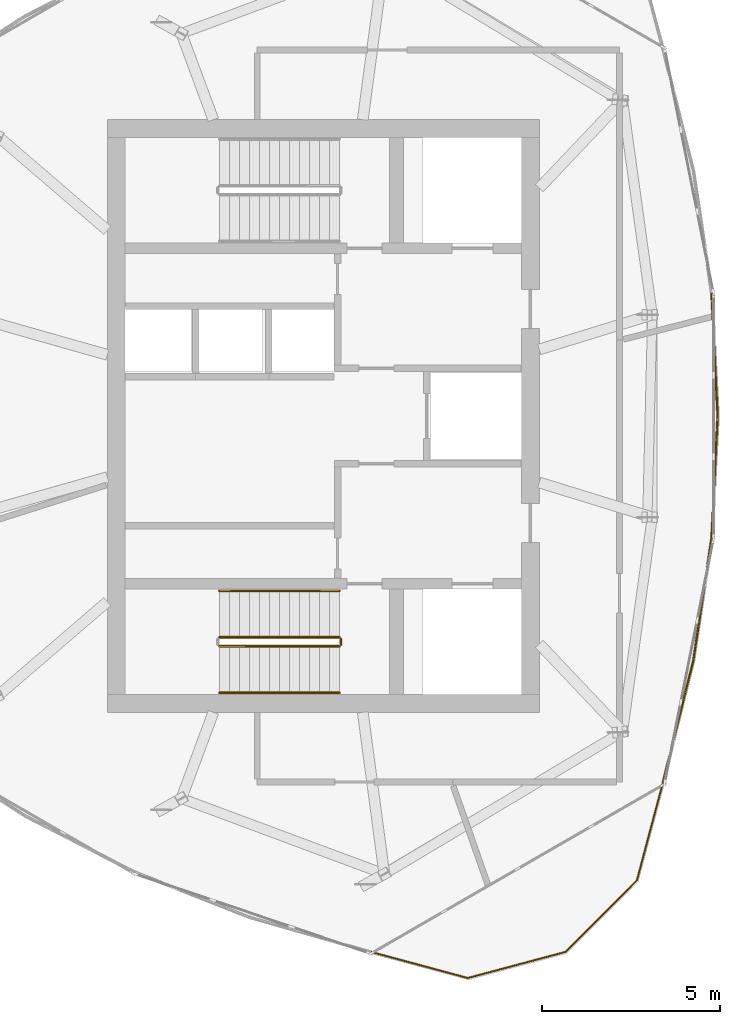
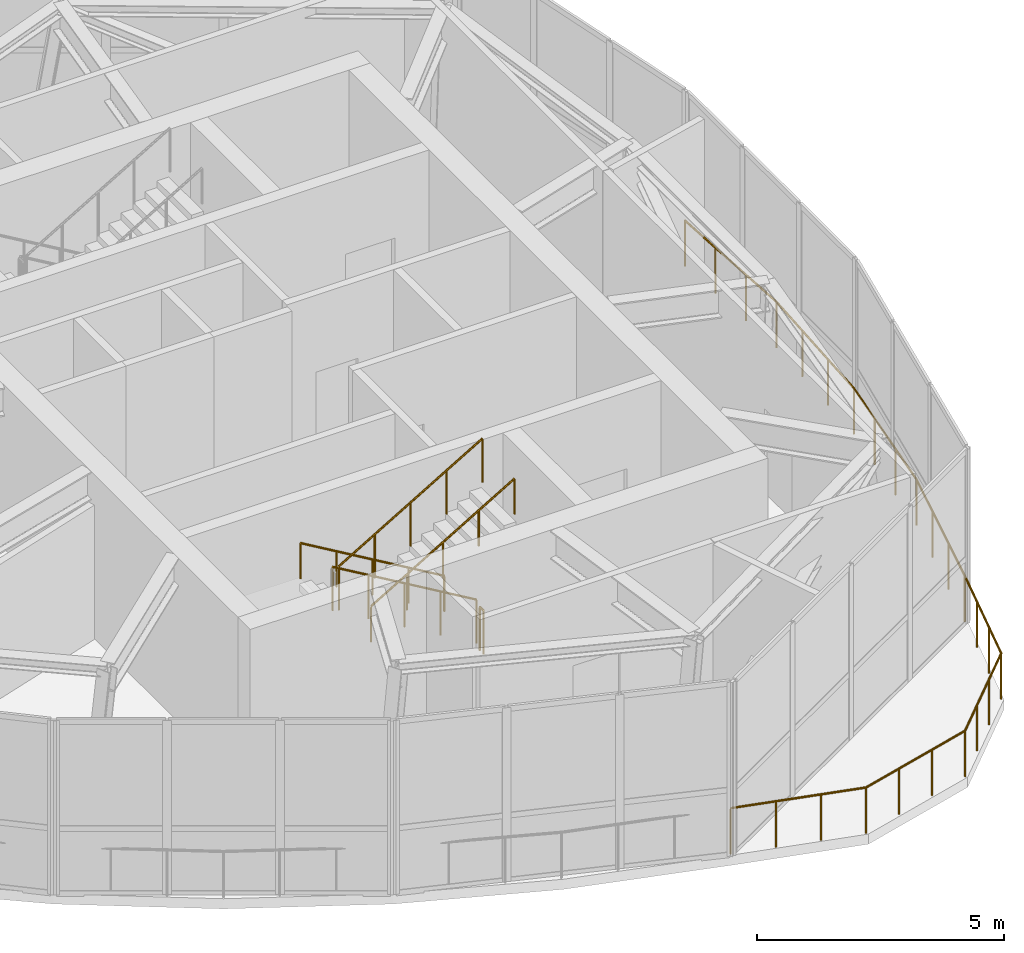
# One storey, part 10 of 11: 8 railings.
"""IFC4 building model written with IfcOpenShell, lengths in metres."""

import ifcopenshell
import ifcopenshell.guid

model = None  # the IFC model being written
_history = None  # IfcOwnerHistory: only IFC2X3 demands one
_inside = {}  # id of a spatial element -> (the spatial element, [elements in it])
_under = {}  # id of a project, library or spatial element -> (it, [spatial elements below it])
_declared = {}  # id of a project -> (the project, [libraries it declares])
_typed = {}  # id of a type object -> (the type object, [elements of that type])
_made_of = {}  # id of a material, layer set ... -> (it, [elements and type objects made of it])


def new_model(schema):
    """Start an empty IFC model of exactly this schema.

    Asked for "IFC4X3", IfcOpenShell would pick the latest addendum, in which some entities
    have other attributes; the version numbers below select the first issue.
    IFC2X3 requires an IfcOwnerHistory on every rooted entity: one is made here for all.
    """
    global model, _history
    if schema == "IFC4X3":
        model = ifcopenshell.file(schema_version=(4, 3, 0, 0))
    else:
        model = ifcopenshell.file(schema=schema)
    _inside.clear()
    _under.clear()
    _declared.clear()
    _typed.clear()
    _made_of.clear()
    _history = None
    if model.schema == "IFC2X3":
        org = make("IfcOrganization", Name="unknown")
        user = make(
            "IfcPersonAndOrganization",
            ThePerson=make("IfcPerson", FamilyName="unknown"),
            TheOrganization=org,
        )
        app = make(
            "IfcApplication",
            ApplicationDeveloper=org,
            Version="unknown",
            ApplicationFullName="unknown",
            ApplicationIdentifier="unknown",
        )
        _history = make(
            "IfcOwnerHistory",
            OwningUser=user,
            OwningApplication=app,
            ChangeAction="ADDED",
            CreationDate=0,
        )
    return model


def make(cls, **values):
    """One entity of the class cls with the attributes given. An attribute that is None is left unset."""
    return model.create_entity(
        cls, **{name: value for name, value in values.items() if value is not None}
    )


def rooted(cls, **values):
    """An entity with a GlobalId (a new one), such as an element, a storey or a relation."""
    return make(cls, GlobalId=ifcopenshell.guid.new(), OwnerHistory=_history, **values)


def si_unit(unit_type, name, prefix=None):
    """IfcSIUnit, for example si_unit("LENGTHUNIT", "METRE", prefix="MILLI")."""
    return make("IfcSIUnit", UnitType=unit_type, Prefix=prefix, Name=name)


def assignment(units):
    """IfcUnitAssignment: the units of a project."""
    return None if units is None else make("IfcUnitAssignment", Units=units)


def point(xyz):
    """IfcCartesianPoint."""
    return None if xyz is None else make("IfcCartesianPoint", Coordinates=xyz)


def direction(xyz):
    """IfcDirection."""
    return None if xyz is None else make("IfcDirection", DirectionRatios=xyz)


def frame(location, z_axis=None, x_axis=None):
    """IfcAxis2Placement3D, a coordinate frame: its origin and axes. An axis left out is left unset."""
    return make(
        "IfcAxis2Placement3D",
        Location=point(location),
        Axis=direction(z_axis),
        RefDirection=direction(x_axis),
    )


def frame_2d(location, x_axis=None):
    """IfcAxis2Placement2D, a coordinate frame in the plane: its origin and x axis."""
    return make(
        "IfcAxis2Placement2D", Location=point(location), RefDirection=direction(x_axis)
    )


def origin():
    """The frame at (0, 0, 0) with its axes left unset."""
    return frame((0.0, 0.0, 0.0))


def origin_2d():
    """The frame at (0, 0) in the plane with its x axis left unset."""
    return frame_2d((0.0, 0.0))


def place(relative_to, where):
    """IfcLocalPlacement: puts the frame where relative to a parent placement (None: the world)."""
    return make(
        "IfcLocalPlacement", PlacementRelTo=relative_to, RelativePlacement=where
    )


def context(
    kind, dimensions, precision=None, world=None, true_north=None, identifier=None
):
    """IfcGeometricRepresentationContext, for example the 3D "Model" context."""
    return make(
        "IfcGeometricRepresentationContext",
        ContextIdentifier=identifier,
        ContextType=kind,
        CoordinateSpaceDimension=dimensions,
        Precision=precision,
        WorldCoordinateSystem=world,
        TrueNorth=true_north,
    )


def subcontext(parent, identifier, kind, view, scale=None):
    """IfcGeometricRepresentationSubContext, for example "Body" below "Model"."""
    return make(
        "IfcGeometricRepresentationSubContext",
        ContextIdentifier=identifier,
        ContextType=kind,
        ParentContext=parent,
        TargetScale=scale,
        TargetView=view,
    )


def project(units=None, contexts=None):
    """IfcProject with its units and contexts."""
    return rooted(
        "IfcProject",
        Name="project",
        RepresentationContexts=contexts,
        UnitsInContext=assignment(units),
    )


def spatial(cls, under=None, at=None, **own):
    """A site, building, storey or space (cls), placed at a placement, below another one or the project."""
    s = rooted(cls, ObjectPlacement=at, **own)
    if under is not None:
        _under.setdefault(under.id(), (under, []))[1].append(s)
    return s


def profile(cls, at=None, kind="AREA", **sizes):
    """A parametric profile (cls). Its sizes go by their IFC names, for example OverallWidth=200.0."""
    return make(cls, ProfileType=kind, Position=at, **sizes)


def circle(**sizes):
    """IfcCircleProfileDef."""
    return profile("IfcCircleProfileDef", **sizes)


def extrude(swept, where, along, depth):
    """IfcExtrudedAreaSolid: the profile swept, set in the frame where, extruded along a direction by depth."""
    return make(
        "IfcExtrudedAreaSolid",
        SweptArea=swept,
        Position=where,
        ExtrudedDirection=direction(along),
        Depth=depth,
    )


def shape(context_of_items, identifier, shape_type, items):
    """IfcShapeRepresentation: the items that make up one representation, for example the "Body"."""
    return make(
        "IfcShapeRepresentation",
        ContextOfItems=context_of_items,
        RepresentationIdentifier=identifier,
        RepresentationType=shape_type,
        Items=items,
    )


def source(mapping_origin, context_of_items, identifier, shape_type, items):
    """IfcRepresentationMap: a shape defined once, which mapped items show again and again."""
    return make(
        "IfcRepresentationMap",
        MappingOrigin=mapping_origin,
        MappedRepresentation=shape(context_of_items, identifier, shape_type, items),
    )


def transform(
    local_origin,
    x_axis=None,
    y_axis=None,
    z_axis=None,
    scale=None,
    scale2=None,
    scale3=None,
    uniform=True,
):
    """IfcCartesianTransformationOperator3D, or its non-uniform kind. x_axis, y_axis, z_axis: its Axis1, 2, 3."""
    if uniform:
        return make(
            "IfcCartesianTransformationOperator3D",
            Axis1=direction(x_axis),
            Axis2=direction(y_axis),
            LocalOrigin=point(local_origin),
            Scale=scale,
            Axis3=direction(z_axis),
        )
    return make(
        "IfcCartesianTransformationOperator3DnonUniform",
        Axis1=direction(x_axis),
        Axis2=direction(y_axis),
        LocalOrigin=point(local_origin),
        Scale=scale,
        Axis3=direction(z_axis),
        Scale2=scale2,
        Scale3=scale3,
    )


def mapped(mapping_source, mapping_target):
    """IfcMappedItem: shows the shape of a source again, moved by a transform."""
    return make(
        "IfcMappedItem", MappingSource=mapping_source, MappingTarget=mapping_target
    )


def material(Name=None, Category=None):
    """IfcMaterial."""
    return make("IfcMaterial", Name=Name, Category=Category)


def made_of(thing, what):
    """Note that an element or type object is made of a material, layer set ...; save() writes the relation."""
    if what is not None:
        _made_of.setdefault(what.id(), (what, []))[1].append(thing)
    return thing


def type_object(cls, material=None, **own):
    """A type object (cls), such as IfcWallType, which elements share."""
    return made_of(rooted(cls, **own), material)


def element(
    cls,
    number,
    at=None,
    inside=None,
    cuts=None,
    type_object=None,
    material=None,
    context=None,
    identifier="Body",
    shape_type=None,
    held_by="IfcProductDefinitionShape",
    body=None,
    shapes=None,
    **own,
):
    """One element of the class cls, such as IfcWall. Its Tag is "e" and its number.

    at: its placement. inside: the storey or other place that contains it. cuts: it is an
    opening in that element (IfcRelVoidsElement). A single representation is given by context,
    identifier, shape_type and body (its items); several are given by shapes. held_by: the class
    of the entity that holds the representations. save() writes the other relations.
    """
    e = rooted(cls, Tag="e%d" % number, ObjectPlacement=at, **own)
    if body is not None:
        shapes = [shape(context, identifier, shape_type, body)]
    if shapes is not None:
        e.Representation = make(held_by, Representations=shapes)
    if inside is not None:
        _inside.setdefault(inside.id(), (inside, []))[1].append(e)
    if cuts is not None:
        rooted(
            "IfcRelVoidsElement", RelatingBuildingElement=cuts, RelatedOpeningElement=e
        )
    if type_object is not None:
        _typed.setdefault(type_object.id(), (type_object, []))[1].append(e)
    return made_of(e, material)


def aggregate(whole, parts):
    """IfcRelAggregates: a whole, such as a stair, and the parts it consists of."""
    return rooted("IfcRelAggregates", RelatingObject=whole, RelatedObjects=parts)


def save(model, path):
    """Write the relations noted so far, then the file.

    IfcRelAggregates (storeys below a building ...), IfcRelContainedInSpatialStructure (elements
    in a storey), IfcRelDefinesByType, IfcRelAssociatesMaterial and IfcRelDeclares: one each for
    every whole, place, type object, material and project.
    """
    for whole, parts in _under.values():
        aggregate(whole, parts)
    for where, things in _inside.values():
        rooted(
            "IfcRelContainedInSpatialStructure",
            RelatedElements=things,
            RelatingStructure=where,
        )
    for kind, things in _typed.values():
        rooted("IfcRelDefinesByType", RelatedObjects=things, RelatingType=kind)
    for what, things in _made_of.values():
        rooted("IfcRelAssociatesMaterial", RelatedObjects=things, RelatingMaterial=what)
    for by, libraries in _declared.values():
        rooted("IfcRelDeclares", RelatingContext=by, RelatedDefinitions=libraries)
    model.write(path)


model = new_model("IFC4")

# Units and contexts
model_context = context("Model", 3, precision=1e-05, world=origin(), true_north=direction((0.0, 1.0)))
body_context = subcontext(model_context, "Body", "Model", "MODEL_VIEW")
ifc_project = project(units=[si_unit("LENGTHUNIT", "METRE"), si_unit("AREAUNIT", "SQUARE_METRE"), si_unit("VOLUMEUNIT", "CUBIC_METRE"), si_unit("PLANEANGLEUNIT", "RADIAN"), si_unit("MASSUNIT", "GRAM", prefix="KILO")], contexts=[model_context])

# Site, building, storey
site_placement = place(None, origin())
site = spatial("IfcSite", under=ifc_project, at=site_placement, CompositionType="ELEMENT")
building_placement = place(site_placement, origin())
building = spatial("IfcBuilding", under=site, at=building_placement, Name="Qafzar Sky-Pleat Residences", CompositionType="ELEMENT")
storey_placement = place(building_placement, frame((0.0, 0.0, 253.199951171875)))
storey = spatial("IfcBuildingStorey", under=building, at=storey_placement, Name="L76 Crown", CompositionType="ELEMENT", Elevation=253.199951171875)

# Railings
ifc_material_1 = material(Name="Galvanised and bronze-coated Steel S355 guardrail", Category="steel")
railing_type_1 = type_object("IfcRailingType", Name="RAIL-EXT-1150", PredefinedType="GUARDRAIL", material=ifc_material_1)
shared_shape_1 = source(origin(), body_context, "Body", "SweptSolid", [
    extrude(circle(Radius=0.02392578125, at=origin_2d()), frame((0.0, 0.0, 1.1259765625), z_axis=(0.965471763523, -0.260507723188, 0.0), x_axis=(0.260507723188, 0.965471763523, 0.0)), (0.0, 0.0, 1.0), 2.8349609375),
    extrude(circle(Radius=0.02392578125, at=origin_2d()), frame((2.737060546875, -0.738525390625, 1.1259765625), z_axis=(0.966086005163, 0.258220507759, 0.0), x_axis=(-0.258220507759, 0.966086005163, 0.0)), (0.0, 0.0, 1.0), 2.83251953125),
    extrude(circle(Radius=0.02392578125, at=origin_2d()), frame((5.4736328125, -0.007080078125, 1.1259765625), z_axis=(0.70676193522, 0.707451459059, 0.0), x_axis=(-0.707451459059, 0.70676193522, 0.0)), (0.0, 0.0, 1.0), 2.83251953125),
    extrude(circle(Radius=0.02392578125, at=origin_2d()), frame((7.4755859375, 1.996826171875, 1.1259765625), z_axis=(0.257260584326, 0.966342067672, 0.0), x_axis=(-0.966342067672, 0.257260584326, 0.0)), (0.0, 0.0, 1.0), 2.834716796875),
    extrude(circle(Radius=0.02099609375, at=origin_2d()), origin(), (0.0, 0.0, 1.0), 1.101806640625),
    extrude(circle(Radius=0.02099609375, at=origin_2d()), frame((0.912353515625, -0.24609375, 0.0)), (0.0, 0.0, 1.0), 1.101806640625),
    extrude(circle(Radius=0.02099609375, at=origin_2d()), frame((1.82470703125, -0.492431640625, 0.0)), (0.0, 0.0, 1.0), 1.101806640625),
    extrude(circle(Radius=0.02099609375, at=origin_2d()), frame((2.737060546875, -0.738525390625, 0.0)), (0.0, 0.0, 1.0), 1.101806640625),
    extrude(circle(Radius=0.02099609375, at=origin_2d()), frame((3.649169921875, -0.49462890625, 0.0)), (0.0, 0.0, 1.0), 1.101806640625),
    extrude(circle(Radius=0.02099609375, at=origin_2d()), frame((4.5615234375, -0.2509765625, 0.0)), (0.0, 0.0, 1.0), 1.101806640625),
    extrude(circle(Radius=0.02099609375, at=origin_2d()), frame((5.4736328125, -0.007080078125, 0.0)), (0.0, 0.0, 1.0), 1.101806640625),
    extrude(circle(Radius=0.02099609375, at=origin_2d()), frame((6.140869140625, 0.660888671875, 0.0)), (0.0, 0.0, 1.0), 1.101806640625),
    extrude(circle(Radius=0.02099609375, at=origin_2d()), frame((6.808349609375, 1.328857421875, 0.0)), (0.0, 0.0, 1.0), 1.101806640625),
    extrude(circle(Radius=0.02099609375, at=origin_2d()), frame((7.4755859375, 1.996826171875, 0.0)), (0.0, 0.0, 1.0), 1.101806640625),
    extrude(circle(Radius=0.02099609375, at=origin_2d()), frame((7.71875, 2.909912109375, 0.0)), (0.0, 0.0, 1.0), 1.101806640625),
    extrude(circle(Radius=0.02099609375, at=origin_2d()), frame((7.961669921875, 3.822998046875, 0.0)), (0.0, 0.0, 1.0), 1.101806640625),
    extrude(circle(Radius=0.02099609375, at=origin_2d()), frame((8.204833984375, 4.736083984375, 0.0)), (0.0, 0.0, 1.0), 1.101806640625),
])
railing_1_placement = place(storey_placement, frame((31.659912109375, 10.9951171875, 0.0)))
element("IfcRailing", 1, at=railing_1_placement, inside=storey, type_object=railing_type_1, Name="L76 Crown Corner Maintenance Guardrail 5", PredefinedType="GUARDRAIL", context=body_context, shape_type="MappedRepresentation", body=[
    mapped(shared_shape_1, transform((0.0, 0.0, 0.0), x_axis=(1.0, 0.0, 0.0), y_axis=(0.0, 1.0, 0.0), z_axis=(0.0, 0.0, 1.0), scale=1.0)),
])
shared_shape_2 = source(origin(), body_context, "Body", "SweptSolid", [
    extrude(circle(Radius=0.02392578125, at=origin_2d()), frame((0.0, 0.0, 1.1259765625), z_axis=(0.24128213579, 0.970455012326, 0.0), x_axis=(-0.970455012326, 0.24128213579, 0.0)), (0.0, 0.0, 1.0), 3.529296875),
    extrude(circle(Radius=0.02392578125, at=origin_2d()), frame((0.8515625, 3.425048828125, 1.1259765625), z_axis=(0.147384730053, 0.989079239165, 0.0), x_axis=(-0.989079239165, 0.147384730053, 0.0)), (0.0, 0.0, 1.0), 3.46044921875),
    extrude(circle(Radius=0.02099609375, at=origin_2d()), origin(), (0.0, 0.0, 1.0), 1.101806640625),
    extrude(circle(Radius=0.02099609375, at=origin_2d()), frame((0.283935546875, 1.1416015625, 0.0)), (0.0, 0.0, 1.0), 1.101806640625),
    extrude(circle(Radius=0.02099609375, at=origin_2d()), frame((0.567626953125, 2.283447265625, 0.0)), (0.0, 0.0, 1.0), 1.101806640625),
    extrude(circle(Radius=0.02099609375, at=origin_2d()), frame((0.8515625, 3.425048828125, 0.0)), (0.0, 0.0, 1.0), 1.101806640625),
    extrude(circle(Radius=0.02099609375, at=origin_2d()), frame((1.021484375, 4.56591796875, 0.0)), (0.0, 0.0, 1.0), 1.101806640625),
    extrude(circle(Radius=0.02099609375, at=origin_2d()), frame((1.191650390625, 5.706787109375, 0.0)), (0.0, 0.0, 1.0), 1.101806640625),
    extrude(circle(Radius=0.02099609375, at=origin_2d()), frame((1.361572265625, 6.84765625, 0.0)), (0.0, 0.0, 1.0), 1.101806640625),
])
railing_2_placement = place(storey_placement, frame((39.86474609375, 15.731201171875, 0.0)))
element("IfcRailing", 2, at=railing_2_placement, inside=storey, type_object=railing_type_1, Name="L76 Crown Corner Maintenance Guardrail 6", PredefinedType="GUARDRAIL", context=body_context, shape_type="MappedRepresentation", body=[
    mapped(shared_shape_2, transform((0.0, 0.0, 0.0), x_axis=(1.0, 0.0, 0.0), y_axis=(0.0, 1.0, 0.0), z_axis=(0.0, 0.0, 1.0), scale=1.0)),
])
shared_shape_3 = source(origin(), body_context, "Body", "SweptSolid", [
    extrude(circle(Radius=0.02392578125, at=origin_2d()), frame((0.0, 0.0, 1.1259765625), z_axis=(0.049678113205, 0.998765280268, 0.0), x_axis=(-0.998765280268, 0.049678113205, 0.0)), (0.0, 0.0, 1.0), 3.42529296875),
    extrude(circle(Radius=0.02392578125, at=origin_2d()), frame((0.170166015625, 3.421142578125, 1.1259765625), z_axis=(-0.049678113205, 0.998765280268, 0.0), x_axis=(-0.998765280268, -0.049678113205, 0.0)), (0.0, 0.0, 1.0), 3.42529296875),
    extrude(circle(Radius=0.02099609375, at=origin_2d()), origin(), (0.0, 0.0, 1.0), 1.101806640625),
    extrude(circle(Radius=0.02099609375, at=origin_2d()), frame((0.056640625, 1.140380859375, 0.0)), (0.0, 0.0, 1.0), 1.101806640625),
    extrude(circle(Radius=0.02099609375, at=origin_2d()), frame((0.113525390625, 2.28076171875, 0.0)), (0.0, 0.0, 1.0), 1.101806640625),
    extrude(circle(Radius=0.02099609375, at=origin_2d()), frame((0.170166015625, 3.421142578125, 0.0)), (0.0, 0.0, 1.0), 1.101806640625),
    extrude(circle(Radius=0.02099609375, at=origin_2d()), frame((0.113525390625, 4.5615234375, 0.0)), (0.0, 0.0, 1.0), 1.101806640625),
    extrude(circle(Radius=0.02099609375, at=origin_2d()), frame((0.056640625, 5.701904296875, 0.0)), (0.0, 0.0, 1.0), 1.101806640625),
    extrude(circle(Radius=0.02099609375, at=origin_2d()), frame((0.0, 6.84228515625, 0.0)), (0.0, 0.0, 1.0), 1.101806640625),
])
railing_3_placement = place(storey_placement, frame((41.226318359375, 22.578857421875, 0.0)))
element("IfcRailing", 3, at=railing_3_placement, inside=storey, type_object=railing_type_1, Name="L76 Crown Corner Maintenance Guardrail 7", PredefinedType="GUARDRAIL", context=body_context, shape_type="MappedRepresentation", body=[
    mapped(shared_shape_3, transform((0.0, 0.0, 0.0), x_axis=(1.0, 0.0, 0.0), y_axis=(0.0, 1.0, 0.0), z_axis=(0.0, 0.0, 1.0), scale=1.0)),
])
ifc_material_2 = material(Name="Painted Steel S355 stair guardrail", Category="steel")
railing_type_2 = type_object("IfcRailingType", Name="RAIL-STAIR-GUARD", PredefinedType="GUARDRAIL", material=ifc_material_2)
shared_shape_4 = source(origin(), body_context, "Body", "SweptSolid", [
    extrude(circle(Radius=0.02392578125, at=origin_2d()), frame((0.0, 0.0, 1.076171875), z_axis=(0.0, -1.0, 0.0), x_axis=(1.0, 0.0, 0.0)), (0.0, 0.0, 1.0), 0.14990234375),
    extrude(circle(Radius=0.02099609375, at=origin_2d()), origin(), (0.0, 0.0, 1.0), 1.052001953125),
    extrude(circle(Radius=0.02099609375, at=origin_2d()), frame((0.0, -0.14990234375, 0.0)), (0.0, 0.0, 1.0), 1.052001953125),
])
railing_4_placement = place(storey_placement, frame((30.85009765625, 19.75, 0.0)))
element("IfcRailing", 4, at=railing_4_placement, inside=storey, type_object=railing_type_2, Name="L76 Crown ST1 stair guard 4", PredefinedType="GUARDRAIL", context=body_context, shape_type="MappedRepresentation", body=[
    mapped(shared_shape_4, transform((0.0, 0.0, 0.0), x_axis=(1.0, 0.0, 0.0), y_axis=(0.0, 1.0, 0.0), z_axis=(0.0, 0.0, 1.0), scale=1.0)),
])
shared_shape_5 = source(origin(), body_context, "Body", "SweptSolid", [
    extrude(circle(Radius=0.02392578125, at=origin_2d()), frame((0.0, 0.0, 1.076171875), z_axis=(-0.861027394533, 0.0, 0.50855857663), x_axis=(0.0, -1.0, 0.0)), (0.0, 0.0, 1.0), 3.90234375),
    extrude(circle(Radius=0.02099609375, at=origin_2d()), origin(), (0.0, 0.0, 1.0), 1.052001953125),
    extrude(circle(Radius=0.02099609375, at=origin_2d()), frame((-0.840087890625, 0.0, 0.49609375)), (0.0, 0.0, 1.0), 1.052001953125),
    extrude(circle(Radius=0.02099609375, at=origin_2d()), frame((-1.68017578125, 0.0, 0.9921875)), (0.0, 0.0, 1.0), 1.052001953125),
    extrude(circle(Radius=0.02099609375, at=origin_2d()), frame((-2.52001953125, 0.0, 1.488525390625)), (0.0, 0.0, 1.0), 1.052001953125),
    extrude(circle(Radius=0.02099609375, at=origin_2d()), frame((-3.360107421875, 0.0, 1.984619140625)), (0.0, 0.0, 1.0), 1.052001953125),
])
railing_5_placement = place(storey_placement, frame((30.800048828125, 19.800048828125, 0.16552734375)))
element("IfcRailing", 5, at=railing_5_placement, inside=storey, type_object=railing_type_2, Name="L76 Crown ST1 stair guard 1", PredefinedType="GUARDRAIL", context=body_context, shape_type="MappedRepresentation", body=[
    mapped(shared_shape_5, transform((0.0, 0.0, 0.0), x_axis=(1.0, 0.0, 0.0), y_axis=(0.0, 1.0, 0.0), z_axis=(0.0, 0.0, 1.0), scale=1.0)),
])
shared_shape_6 = source(origin(), body_context, "Body", "SweptSolid", [
    extrude(circle(Radius=0.02392578125, at=origin_2d()), frame((0.0, 0.0, 1.076171875), z_axis=(0.861027394533, 0.0, 0.50855857663), x_axis=(0.0, 1.0, 0.0)), (0.0, 0.0, 1.0), 3.90234375),
    extrude(circle(Radius=0.02099609375, at=origin_2d()), origin(), (0.0, 0.0, 1.0), 1.052001953125),
    extrude(circle(Radius=0.02099609375, at=origin_2d()), frame((0.840087890625, 0.0, 0.49609375)), (0.0, 0.0, 1.0), 1.052001953125),
    extrude(circle(Radius=0.02099609375, at=origin_2d()), frame((1.68017578125, 0.0, 0.9921875)), (0.0, 0.0, 1.0), 1.052001953125),
    extrude(circle(Radius=0.02099609375, at=origin_2d()), frame((2.52001953125, 0.0, 1.488525390625)), (0.0, 0.0, 1.0), 1.052001953125),
    extrude(circle(Radius=0.02099609375, at=origin_2d()), frame((3.360107421875, 0.0, 1.984619140625)), (0.0, 0.0, 1.0), 1.052001953125),
])
railing_6_placement = place(storey_placement, frame((27.43994140625, 19.550048828125, 2.3154296875)))
element("IfcRailing", 6, at=railing_6_placement, inside=storey, type_object=railing_type_2, Name="L76 Crown ST1 stair guard 3", PredefinedType="GUARDRAIL", context=body_context, shape_type="MappedRepresentation", body=[
    mapped(shared_shape_6, transform((0.0, 0.0, 0.0), x_axis=(1.0, 0.0, 0.0), y_axis=(0.0, 1.0, 0.0), z_axis=(0.0, 0.0, 1.0), scale=1.0)),
])
ifc_material_3 = material(Name="Brushed stainless steel handrail", Category="steel")
railing_type_3 = type_object("IfcRailingType", Name="RAIL-STAIR-HAND", PredefinedType="HANDRAIL", material=ifc_material_3)
shared_shape_7 = source(origin(), body_context, "Body", "SweptSolid", [
    extrude(circle(Radius=0.02392578125, at=origin_2d()), frame((0.0, 0.0, 0.8759765625), z_axis=(-0.861027394533, 0.0, 0.50855857663), x_axis=(0.0, -1.0, 0.0)), (0.0, 0.0, 1.0), 3.90234375),
    extrude(circle(Radius=0.02099609375, at=origin_2d()), origin(), (0.0, 0.0, 1.0), 0.851806640625),
    extrude(circle(Radius=0.02099609375, at=origin_2d()), frame((-0.840087890625, 0.0, 0.49609375)), (0.0, 0.0, 1.0), 0.851806640625),
    extrude(circle(Radius=0.02099609375, at=origin_2d()), frame((-1.68017578125, 0.0, 0.9921875)), (0.0, 0.0, 1.0), 0.851806640625),
    extrude(circle(Radius=0.02099609375, at=origin_2d()), frame((-2.52001953125, 0.0, 1.488525390625)), (0.0, 0.0, 1.0), 0.851806640625),
    extrude(circle(Radius=0.02099609375, at=origin_2d()), frame((-3.360107421875, 0.0, 1.984619140625)), (0.0, 0.0, 1.0), 0.851806640625),
])
railing_7_placement = place(storey_placement, frame((30.800048828125, 21.10009765625, 0.16552734375)))
element("IfcRailing", 7, at=railing_7_placement, inside=storey, type_object=railing_type_3, Name="L76 Crown ST1 stair handrail 1", PredefinedType="HANDRAIL", context=body_context, shape_type="MappedRepresentation", body=[
    mapped(shared_shape_7, transform((0.0, 0.0, 0.0), x_axis=(1.0, 0.0, 0.0), y_axis=(0.0, 1.0, 0.0), z_axis=(0.0, 0.0, 1.0), scale=1.0)),
])
shared_shape_8 = source(origin(), body_context, "Body", "SweptSolid", [
    extrude(circle(Radius=0.02392578125, at=origin_2d()), frame((0.0, 0.0, 0.8759765625), z_axis=(0.861027394533, 0.0, 0.50855857663), x_axis=(0.0, 1.0, 0.0)), (0.0, 0.0, 1.0), 3.90234375),
    extrude(circle(Radius=0.02099609375, at=origin_2d()), origin(), (0.0, 0.0, 1.0), 0.851806640625),
    extrude(circle(Radius=0.02099609375, at=origin_2d()), frame((0.840087890625, 0.0, 0.49609375)), (0.0, 0.0, 1.0), 0.851806640625),
    extrude(circle(Radius=0.02099609375, at=origin_2d()), frame((1.68017578125, 0.0, 0.9921875)), (0.0, 0.0, 1.0), 0.851806640625),
    extrude(circle(Radius=0.02099609375, at=origin_2d()), frame((2.52001953125, 0.0, 1.488525390625)), (0.0, 0.0, 1.0), 0.851806640625),
    extrude(circle(Radius=0.02099609375, at=origin_2d()), frame((3.360107421875, 0.0, 1.984619140625)), (0.0, 0.0, 1.0), 0.851806640625),
])
railing_8_placement = place(storey_placement, frame((27.43994140625, 18.25, 2.3154296875)))
element("IfcRailing", 8, at=railing_8_placement, inside=storey, type_object=railing_type_3, Name="L76 Crown ST1 stair handrail 2", PredefinedType="HANDRAIL", context=body_context, shape_type="MappedRepresentation", body=[
    mapped(shared_shape_8, transform((0.0, 0.0, 0.0), x_axis=(1.0, 0.0, 0.0), y_axis=(0.0, 1.0, 0.0), z_axis=(0.0, 0.0, 1.0), scale=1.0)),
])

save(model, "model.ifc")
